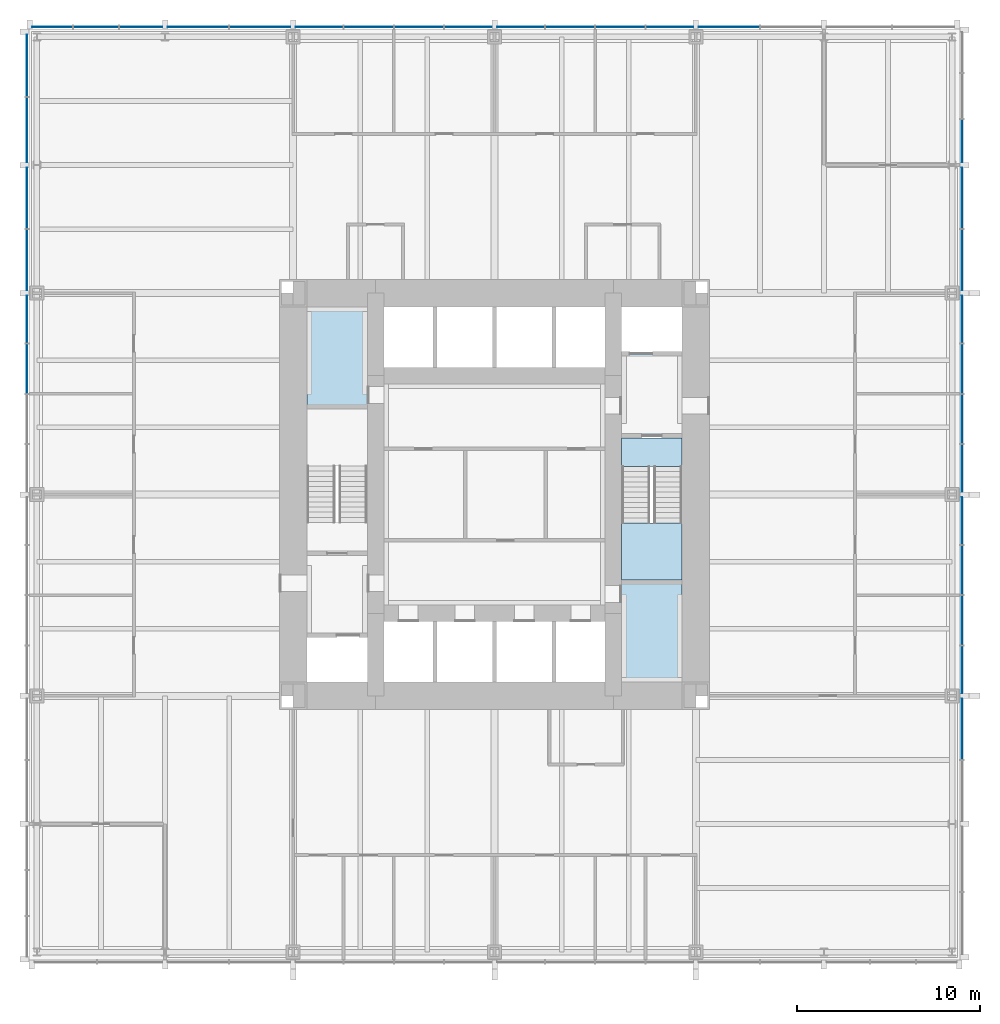
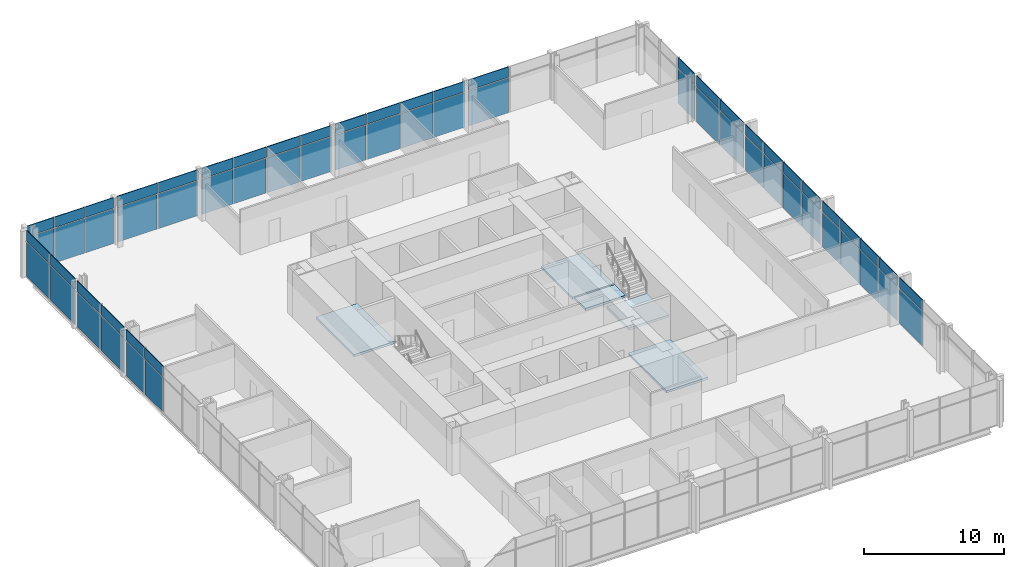
# One storey, part 8 of 12: 64 plates, 5 slabs, 4 elements without a shape of their own.
"""IFC4 building model written with IfcOpenShell, lengths in metres."""

from ifc_helpers import new_model, si_unit, direction, frame, origin, origin_2d, place, context, subcontext, project, spatial, polyline, rectangle, outline, extrude, material, layer, layer_set, type_object, element, aggregate, save


model = new_model("IFC4")

# Units and contexts
model_context = context("Model", 3, precision=1e-05, world=origin(), true_north=direction((0.0, 1.0)))
body_context = subcontext(model_context, "Body", "Model", "MODEL_VIEW")
ifc_project = project(units=[si_unit("LENGTHUNIT", "METRE"), si_unit("AREAUNIT", "SQUARE_METRE"), si_unit("VOLUMEUNIT", "CUBIC_METRE"), si_unit("PLANEANGLEUNIT", "RADIAN"), si_unit("MASSUNIT", "GRAM", prefix="KILO")], contexts=[model_context])

# Site, building, storey
site_placement = place(None, origin())
site = spatial("IfcSite", under=ifc_project, at=site_placement, CompositionType="ELEMENT")
building_placement = place(site_placement, origin())
building = spatial("IfcBuilding", under=site, at=building_placement, Name="Trevanion Tower", CompositionType="ELEMENT")
storey_placement = place(building_placement, frame((0.0, 0.0, 73.39990234375)))
storey = spatial("IfcBuildingStorey", under=building, at=storey_placement, Name="L17", CompositionType="ELEMENT", Elevation=73.39990234375)

# Curtain wall, plates
ifc_material_1 = material(Name="Aluminium and glass", Category="aluminium")
curtain_wall_type = type_object("IfcCurtainWallType", Name="CW1 curtain wall", PredefinedType="USERDEFINED", material=ifc_material_1)
curtain_wall_1_placement = place(storey_placement, origin())
curtain_wall_1 = element("IfcCurtainWall", 1, at=curtain_wall_1_placement, inside=storey, type_object=curtain_wall_type, Name="CW1 L17 0", ObjectType="UNITISED CURTAIN WALL", PredefinedType="USERDEFINED")
ifc_material_2 = material(Name="Aluminium spandrel panel", Category="aluminium")
ifc_layer_1 = layer(ifc_material_2, 0.06005859375)
ifc_layer_set_1 = layer_set([ifc_layer_1], Name="CW1 spandrel panel")
plate_type_1 = type_object("IfcPlateType", Name="CW1 spandrel panel", PredefinedType="CURTAIN_PANEL", material=ifc_layer_set_1)
plate_1_placement = place(storey_placement, frame((25.550048828125, -12.806396484375, 2.99755859375), z_axis=(0.0, 0.0, 1.0), x_axis=(0.0, 1.0, 0.0)))
plate_1 = element("IfcPlate", 2, at=plate_1_placement, type_object=plate_type_1, Name="CW1 panel 4.2", PredefinedType="CURTAIN_PANEL", context=body_context, shape_type="SweptSolid", body=[
    extrude(rectangle(XDim=3.3125, YDim=0.06005859375, at=origin_2d()), origin(), (0.0, 0.0, 1.0), 0.91259765625),
])
plate_2_placement = place(storey_placement, frame((25.550048828125, -9.56884765625, 2.99755859375), z_axis=(0.0, 0.0, 1.0), x_axis=(0.0, 1.0, 0.0)))
plate_2 = element("IfcPlate", 3, at=plate_2_placement, type_object=plate_type_1, Name="CW1 panel 5.2", PredefinedType="CURTAIN_PANEL", context=body_context, shape_type="SweptSolid", body=[
    extrude(rectangle(XDim=2.5625, YDim=0.06005859375, at=origin_2d()), origin(), (0.0, 0.0, 1.0), 0.91259765625),
])
plate_3_placement = place(storey_placement, frame((25.550048828125, -6.875, 2.99755859375), z_axis=(0.0, 0.0, 1.0), x_axis=(0.0, 1.0, 0.0)))
plate_3 = element("IfcPlate", 4, at=plate_3_placement, type_object=plate_type_1, Name="CW1 panel 6.2", PredefinedType="CURTAIN_PANEL", context=body_context, shape_type="SweptSolid", body=[
    extrude(rectangle(XDim=2.675048828125, YDim=0.06005859375, at=origin_2d()), origin(), (0.0, 0.0, 1.0), 0.91259765625),
])
plate_4_placement = place(storey_placement, frame((25.550048828125, -4.125, 2.99755859375), z_axis=(0.0, 0.0, 1.0), x_axis=(0.0, 1.0, 0.0)))
plate_4 = element("IfcPlate", 5, at=plate_4_placement, type_object=plate_type_1, Name="CW1 panel 7.2", PredefinedType="CURTAIN_PANEL", context=body_context, shape_type="SweptSolid", body=[
    extrude(rectangle(XDim=2.675048828125, YDim=0.06005859375, at=origin_2d()), origin(), (0.0, 0.0, 1.0), 0.91259765625),
])
plate_5_placement = place(storey_placement, frame((25.550048828125, -1.43115234375, 2.99755859375), z_axis=(0.0, 0.0, 1.0), x_axis=(0.0, 1.0, 0.0)))
plate_5 = element("IfcPlate", 6, at=plate_5_placement, type_object=plate_type_1, Name="CW1 panel 8.2", PredefinedType="CURTAIN_PANEL", context=body_context, shape_type="SweptSolid", body=[
    extrude(rectangle(XDim=2.5625, YDim=0.06005859375, at=origin_2d()), origin(), (0.0, 0.0, 1.0), 0.91259765625),
])
plate_6_placement = place(storey_placement, frame((25.550048828125, 1.43115234375, 2.99755859375), z_axis=(0.0, 0.0, 1.0), x_axis=(0.0, 1.0, 0.0)))
plate_6 = element("IfcPlate", 7, at=plate_6_placement, type_object=plate_type_1, Name="CW1 panel 9.2", PredefinedType="CURTAIN_PANEL", context=body_context, shape_type="SweptSolid", body=[
    extrude(rectangle(XDim=2.5625, YDim=0.06005859375, at=origin_2d()), origin(), (0.0, 0.0, 1.0), 0.91259765625),
])
plate_7_placement = place(storey_placement, frame((25.550048828125, 4.125, 2.99755859375), z_axis=(0.0, 0.0, 1.0), x_axis=(0.0, 1.0, 0.0)))
plate_7 = element("IfcPlate", 8, at=plate_7_placement, type_object=plate_type_1, Name="CW1 panel 10.2", PredefinedType="CURTAIN_PANEL", context=body_context, shape_type="SweptSolid", body=[
    extrude(rectangle(XDim=2.675048828125, YDim=0.06005859375, at=origin_2d()), origin(), (0.0, 0.0, 1.0), 0.91259765625),
])
plate_8_placement = place(storey_placement, frame((25.550048828125, 6.875, 2.99755859375), z_axis=(0.0, 0.0, 1.0), x_axis=(0.0, 1.0, 0.0)))
plate_8 = element("IfcPlate", 9, at=plate_8_placement, type_object=plate_type_1, Name="CW1 panel 11.2", PredefinedType="CURTAIN_PANEL", context=body_context, shape_type="SweptSolid", body=[
    extrude(rectangle(XDim=2.675048828125, YDim=0.06005859375, at=origin_2d()), origin(), (0.0, 0.0, 1.0), 0.91259765625),
])
plate_9_placement = place(storey_placement, frame((25.550048828125, 9.56884765625, 2.99755859375), z_axis=(0.0, 0.0, 1.0), x_axis=(0.0, 1.0, 0.0)))
plate_9 = element("IfcPlate", 10, at=plate_9_placement, type_object=plate_type_1, Name="CW1 panel 12.2", PredefinedType="CURTAIN_PANEL", context=body_context, shape_type="SweptSolid", body=[
    extrude(rectangle(XDim=2.5625, YDim=0.06005859375, at=origin_2d()), origin(), (0.0, 0.0, 1.0), 0.91259765625),
])
plate_10_placement = place(storey_placement, frame((25.550048828125, 12.80615234375, 2.99755859375), z_axis=(0.0, 0.0, 1.0), x_axis=(0.0, 1.0, 0.0)))
plate_10 = element("IfcPlate", 11, at=plate_10_placement, type_object=plate_type_1, Name="CW1 panel 13.2", PredefinedType="CURTAIN_PANEL", context=body_context, shape_type="SweptSolid", body=[
    extrude(rectangle(XDim=3.3125, YDim=0.06005859375, at=origin_2d()), origin(), (0.0, 0.0, 1.0), 0.91259765625),
])
plate_11_placement = place(storey_placement, frame((25.550048828125, 16.19384765625, 2.99755859375), z_axis=(0.0, 0.0, 1.0), x_axis=(0.0, 1.0, 0.0)))
plate_11 = element("IfcPlate", 12, at=plate_11_placement, type_object=plate_type_1, Name="CW1 panel 14.2", PredefinedType="CURTAIN_PANEL", context=body_context, shape_type="SweptSolid", body=[
    extrude(rectangle(XDim=3.3125, YDim=0.06005859375, at=origin_2d()), origin(), (0.0, 0.0, 1.0), 0.91259765625),
])
plate_12_placement = place(storey_placement, frame((25.550048828125, 19.314697265625, 2.99755859375), z_axis=(0.0, 0.0, 1.0), x_axis=(0.0, 1.0, 0.0)))
plate_12 = element("IfcPlate", 13, at=plate_12_placement, type_object=plate_type_1, Name="CW1 panel 15.2", PredefinedType="CURTAIN_PANEL", context=body_context, shape_type="SweptSolid", body=[
    extrude(rectangle(XDim=2.3291015625, YDim=0.06005859375, at=origin_2d()), origin(), (0.0, 0.0, 1.0), 0.91259765625),
])

curtain_wall_2_placement = place(storey_placement, origin())
curtain_wall_2 = element("IfcCurtainWall", 14, at=curtain_wall_2_placement, inside=storey, type_object=curtain_wall_type, Name="CW1 L17 1", ObjectType="UNITISED CURTAIN WALL", PredefinedType="USERDEFINED")
plate_13_placement = place(storey_placement, frame((12.806396484375, 25.550048828125, 2.99755859375), z_axis=(0.0, 0.0, 1.0), x_axis=(-1.0, 0.0, 0.0)))
plate_13 = element("IfcPlate", 15, at=plate_13_placement, type_object=plate_type_1, Name="CW1 panel 4.2", PredefinedType="CURTAIN_PANEL", context=body_context, shape_type="SweptSolid", body=[
    extrude(rectangle(XDim=3.3125, YDim=0.06005859375, at=origin_2d()), origin(), (0.0, 0.0, 1.0), 0.91259765625),
])
plate_14_placement = place(storey_placement, frame((9.56884765625, 25.550048828125, 2.99755859375), z_axis=(0.0, 0.0, 1.0), x_axis=(-1.0, 0.0, 0.0)))
plate_14 = element("IfcPlate", 16, at=plate_14_placement, type_object=plate_type_1, Name="CW1 panel 5.2", PredefinedType="CURTAIN_PANEL", context=body_context, shape_type="SweptSolid", body=[
    extrude(rectangle(XDim=2.5625, YDim=0.06005859375, at=origin_2d()), origin(), (0.0, 0.0, 1.0), 0.91259765625),
])
plate_15_placement = place(storey_placement, frame((6.875, 25.550048828125, 2.99755859375), z_axis=(0.0, 0.0, 1.0), x_axis=(-1.0, 0.0, 0.0)))
plate_15 = element("IfcPlate", 17, at=plate_15_placement, type_object=plate_type_1, Name="CW1 panel 6.2", PredefinedType="CURTAIN_PANEL", context=body_context, shape_type="SweptSolid", body=[
    extrude(rectangle(XDim=2.675048828125, YDim=0.06005859375, at=origin_2d()), origin(), (0.0, 0.0, 1.0), 0.91259765625),
])
plate_16_placement = place(storey_placement, frame((4.125, 25.550048828125, 2.99755859375), z_axis=(0.0, 0.0, 1.0), x_axis=(-1.0, 0.0, 0.0)))
plate_16 = element("IfcPlate", 18, at=plate_16_placement, type_object=plate_type_1, Name="CW1 panel 7.2", PredefinedType="CURTAIN_PANEL", context=body_context, shape_type="SweptSolid", body=[
    extrude(rectangle(XDim=2.675048828125, YDim=0.06005859375, at=origin_2d()), origin(), (0.0, 0.0, 1.0), 0.91259765625),
])
plate_17_placement = place(storey_placement, frame((1.43115234375, 25.550048828125, 2.99755859375), z_axis=(0.0, 0.0, 1.0), x_axis=(-1.0, 0.0, 0.0)))
plate_17 = element("IfcPlate", 19, at=plate_17_placement, type_object=plate_type_1, Name="CW1 panel 8.2", PredefinedType="CURTAIN_PANEL", context=body_context, shape_type="SweptSolid", body=[
    extrude(rectangle(XDim=2.5625, YDim=0.06005859375, at=origin_2d()), origin(), (0.0, 0.0, 1.0), 0.91259765625),
])
plate_18_placement = place(storey_placement, frame((-1.43115234375, 25.550048828125, 2.99755859375), z_axis=(0.0, 0.0, 1.0), x_axis=(-1.0, 0.0, 0.0)))
plate_18 = element("IfcPlate", 20, at=plate_18_placement, type_object=plate_type_1, Name="CW1 panel 9.2", PredefinedType="CURTAIN_PANEL", context=body_context, shape_type="SweptSolid", body=[
    extrude(rectangle(XDim=2.5625, YDim=0.06005859375, at=origin_2d()), origin(), (0.0, 0.0, 1.0), 0.91259765625),
])
plate_19_placement = place(storey_placement, frame((-4.125, 25.550048828125, 2.99755859375), z_axis=(0.0, 0.0, 1.0), x_axis=(-1.0, 0.0, 0.0)))
plate_19 = element("IfcPlate", 21, at=plate_19_placement, type_object=plate_type_1, Name="CW1 panel 10.2", PredefinedType="CURTAIN_PANEL", context=body_context, shape_type="SweptSolid", body=[
    extrude(rectangle(XDim=2.675048828125, YDim=0.06005859375, at=origin_2d()), origin(), (0.0, 0.0, 1.0), 0.91259765625),
])
plate_20_placement = place(storey_placement, frame((-6.875, 25.550048828125, 2.99755859375), z_axis=(0.0, 0.0, 1.0), x_axis=(-1.0, 0.0, 0.0)))
plate_20 = element("IfcPlate", 22, at=plate_20_placement, type_object=plate_type_1, Name="CW1 panel 11.2", PredefinedType="CURTAIN_PANEL", context=body_context, shape_type="SweptSolid", body=[
    extrude(rectangle(XDim=2.675048828125, YDim=0.06005859375, at=origin_2d()), origin(), (0.0, 0.0, 1.0), 0.91259765625),
])
plate_21_placement = place(storey_placement, frame((-9.56884765625, 25.550048828125, 2.99755859375), z_axis=(0.0, 0.0, 1.0), x_axis=(-1.0, 0.0, 0.0)))
plate_21 = element("IfcPlate", 23, at=plate_21_placement, type_object=plate_type_1, Name="CW1 panel 12.2", PredefinedType="CURTAIN_PANEL", context=body_context, shape_type="SweptSolid", body=[
    extrude(rectangle(XDim=2.5625, YDim=0.06005859375, at=origin_2d()), origin(), (0.0, 0.0, 1.0), 0.91259765625),
])
plate_22_placement = place(storey_placement, frame((-12.80615234375, 25.550048828125, 2.99755859375), z_axis=(0.0, 0.0, 1.0), x_axis=(-1.0, 0.0, 0.0)))
plate_22 = element("IfcPlate", 24, at=plate_22_placement, type_object=plate_type_1, Name="CW1 panel 13.2", PredefinedType="CURTAIN_PANEL", context=body_context, shape_type="SweptSolid", body=[
    extrude(rectangle(XDim=3.3125, YDim=0.06005859375, at=origin_2d()), origin(), (0.0, 0.0, 1.0), 0.91259765625),
])
plate_23_placement = place(storey_placement, frame((-16.19384765625, 25.550048828125, 2.99755859375), z_axis=(0.0, 0.0, 1.0), x_axis=(-1.0, 0.0, 0.0)))
plate_23 = element("IfcPlate", 25, at=plate_23_placement, type_object=plate_type_1, Name="CW1 panel 14.2", PredefinedType="CURTAIN_PANEL", context=body_context, shape_type="SweptSolid", body=[
    extrude(rectangle(XDim=3.3125, YDim=0.06005859375, at=origin_2d()), origin(), (0.0, 0.0, 1.0), 0.91259765625),
])
plate_24_placement = place(storey_placement, frame((-19.314697265625, 25.550048828125, 2.99755859375), z_axis=(0.0, 0.0, 1.0), x_axis=(-1.0, 0.0, 0.0)))
plate_24 = element("IfcPlate", 26, at=plate_24_placement, type_object=plate_type_1, Name="CW1 panel 15.2", PredefinedType="CURTAIN_PANEL", context=body_context, shape_type="SweptSolid", body=[
    extrude(rectangle(XDim=2.3291015625, YDim=0.06005859375, at=origin_2d()), origin(), (0.0, 0.0, 1.0), 0.91259765625),
])
plate_25_placement = place(storey_placement, frame((-21.77490234375, 25.550048828125, 2.99755859375), z_axis=(0.0, 0.0, 1.0), x_axis=(-1.0, 0.0, 0.0)))
plate_25 = element("IfcPlate", 27, at=plate_25_placement, type_object=plate_type_1, Name="CW1 panel 16.2", PredefinedType="CURTAIN_PANEL", context=body_context, shape_type="SweptSolid", body=[
    extrude(rectangle(XDim=2.441650390625, YDim=0.06005859375, at=origin_2d()), origin(), (0.0, 0.0, 1.0), 0.91259765625),
])
plate_26_placement = place(storey_placement, frame((-24.160400390625, 25.550048828125, 2.99755859375), z_axis=(0.0, 0.0, 1.0), x_axis=(-1.0, 0.0, 0.0)))
plate_26 = element("IfcPlate", 28, at=plate_26_placement, type_object=plate_type_1, Name="CW1 panel 17.2", PredefinedType="CURTAIN_PANEL", context=body_context, shape_type="SweptSolid", body=[
    extrude(rectangle(XDim=2.17919921875, YDim=0.06005859375, at=origin_2d()), origin(), (0.0, 0.0, 1.0), 0.91259765625),
])

curtain_wall_3_placement = place(storey_placement, origin())
curtain_wall_3 = element("IfcCurtainWall", 29, at=curtain_wall_3_placement, inside=storey, type_object=curtain_wall_type, Name="CW1 L17 2", ObjectType="UNITISED CURTAIN WALL", PredefinedType="USERDEFINED")
plate_27_placement = place(storey_placement, frame((-25.550048828125, 23.433837890625, 2.99755859375), z_axis=(0.0, 0.0, 1.0), x_axis=(0.0, -1.0, 0.0)))
plate_27 = element("IfcPlate", 30, at=plate_27_placement, type_object=plate_type_1, Name="CW1 panel 1.2", PredefinedType="CURTAIN_PANEL", context=body_context, shape_type="SweptSolid", body=[
    extrude(rectangle(XDim=3.37255859375, YDim=0.06005859375, at=origin_2d()), origin(), (0.0, 0.0, 1.0), 0.91259765625),
])
plate_28_placement = place(storey_placement, frame((-25.550048828125, 19.911376953125, 2.99755859375), z_axis=(0.0, 0.0, 1.0), x_axis=(0.0, -1.0, 0.0)))
plate_28 = element("IfcPlate", 31, at=plate_28_placement, type_object=plate_type_1, Name="CW1 panel 2.2", PredefinedType="CURTAIN_PANEL", context=body_context, shape_type="SweptSolid", body=[
    extrude(rectangle(XDim=3.5224609375, YDim=0.06005859375, at=origin_2d()), origin(), (0.0, 0.0, 1.0), 0.91259765625),
])
plate_29_placement = place(storey_placement, frame((-25.550048828125, 16.19384765625, 2.99755859375), z_axis=(0.0, 0.0, 1.0), x_axis=(0.0, -1.0, 0.0)))
plate_29 = element("IfcPlate", 32, at=plate_29_placement, type_object=plate_type_1, Name="CW1 panel 3.2", PredefinedType="CURTAIN_PANEL", context=body_context, shape_type="SweptSolid", body=[
    extrude(rectangle(XDim=3.3125, YDim=0.06005859375, at=origin_2d()), origin(), (0.0, 0.0, 1.0), 0.91259765625),
])
plate_30_placement = place(storey_placement, frame((-25.550048828125, 12.806396484375, 2.99755859375), z_axis=(0.0, 0.0, 1.0), x_axis=(0.0, -1.0, 0.0)))
plate_30 = element("IfcPlate", 33, at=plate_30_placement, type_object=plate_type_1, Name="CW1 panel 4.2", PredefinedType="CURTAIN_PANEL", context=body_context, shape_type="SweptSolid", body=[
    extrude(rectangle(XDim=3.3125, YDim=0.06005859375, at=origin_2d()), origin(), (0.0, 0.0, 1.0), 0.91259765625),
])
plate_31_placement = place(storey_placement, frame((-25.550048828125, 9.56884765625, 2.99755859375), z_axis=(0.0, 0.0, 1.0), x_axis=(0.0, -1.0, 0.0)))
plate_31 = element("IfcPlate", 34, at=plate_31_placement, type_object=plate_type_1, Name="CW1 panel 5.2", PredefinedType="CURTAIN_PANEL", context=body_context, shape_type="SweptSolid", body=[
    extrude(rectangle(XDim=2.5625, YDim=0.06005859375, at=origin_2d()), origin(), (0.0, 0.0, 1.0), 0.91259765625),
])
plate_32_placement = place(storey_placement, frame((-25.550048828125, 6.875, 2.99755859375), z_axis=(0.0, 0.0, 1.0), x_axis=(0.0, -1.0, 0.0)))
plate_32 = element("IfcPlate", 35, at=plate_32_placement, type_object=plate_type_1, Name="CW1 panel 6.2", PredefinedType="CURTAIN_PANEL", context=body_context, shape_type="SweptSolid", body=[
    extrude(rectangle(XDim=2.675048828125, YDim=0.06005859375, at=origin_2d()), origin(), (0.0, 0.0, 1.0), 0.91259765625),
])

# Plate
ifc_material_3 = material(Name="Insulating glass unit", Category="glass")
ifc_layer_2 = layer(ifc_material_3, 0.028076171875)
ifc_layer_set_2 = layer_set([ifc_layer_2], Name="CW1 vision panel")
plate_type_2 = type_object("IfcPlateType", Name="CW1 vision panel", PredefinedType="CURTAIN_PANEL", material=ifc_layer_set_2)
plate_33_placement = place(storey_placement, frame((25.550048828125, -12.806396484375, -0.114990234375), z_axis=(0.0, 0.0, 1.0), x_axis=(0.0, 1.0, 0.0)))
plate_33 = element("IfcPlate", 36, at=plate_33_placement, type_object=plate_type_2, Name="CW1 panel 4.1", PredefinedType="CURTAIN_PANEL", context=body_context, shape_type="SweptSolid", body=[
    extrude(rectangle(XDim=3.3125, YDim=0.028076171875, at=origin_2d()), origin(), (0.0, 0.0, 1.0), 3.03759765625),
])

plate_34_placement = place(storey_placement, frame((25.550048828125, -9.56884765625, -0.114990234375), z_axis=(0.0, 0.0, 1.0), x_axis=(0.0, 1.0, 0.0)))
plate_34 = element("IfcPlate", 37, at=plate_34_placement, type_object=plate_type_2, Name="CW1 panel 5.1", PredefinedType="CURTAIN_PANEL", context=body_context, shape_type="SweptSolid", body=[
    extrude(rectangle(XDim=2.5625, YDim=0.028076171875, at=origin_2d()), origin(), (0.0, 0.0, 1.0), 3.03759765625),
])

plate_35_placement = place(storey_placement, frame((25.550048828125, -6.875, -0.114990234375), z_axis=(0.0, 0.0, 1.0), x_axis=(0.0, 1.0, 0.0)))
plate_35 = element("IfcPlate", 38, at=plate_35_placement, type_object=plate_type_2, Name="CW1 panel 6.1", PredefinedType="CURTAIN_PANEL", context=body_context, shape_type="SweptSolid", body=[
    extrude(rectangle(XDim=2.675048828125, YDim=0.028076171875, at=origin_2d()), origin(), (0.0, 0.0, 1.0), 3.03759765625),
])

plate_36_placement = place(storey_placement, frame((25.550048828125, -4.125, -0.114990234375), z_axis=(0.0, 0.0, 1.0), x_axis=(0.0, 1.0, 0.0)))
plate_36 = element("IfcPlate", 39, at=plate_36_placement, type_object=plate_type_2, Name="CW1 panel 7.1", PredefinedType="CURTAIN_PANEL", context=body_context, shape_type="SweptSolid", body=[
    extrude(rectangle(XDim=2.675048828125, YDim=0.028076171875, at=origin_2d()), origin(), (0.0, 0.0, 1.0), 3.03759765625),
])

plate_37_placement = place(storey_placement, frame((25.550048828125, -1.43115234375, -0.114990234375), z_axis=(0.0, 0.0, 1.0), x_axis=(0.0, 1.0, 0.0)))
plate_37 = element("IfcPlate", 40, at=plate_37_placement, type_object=plate_type_2, Name="CW1 panel 8.1", PredefinedType="CURTAIN_PANEL", context=body_context, shape_type="SweptSolid", body=[
    extrude(rectangle(XDim=2.5625, YDim=0.028076171875, at=origin_2d()), origin(), (0.0, 0.0, 1.0), 3.03759765625),
])

plate_38_placement = place(storey_placement, frame((25.550048828125, 1.43115234375, -0.114990234375), z_axis=(0.0, 0.0, 1.0), x_axis=(0.0, 1.0, 0.0)))
plate_38 = element("IfcPlate", 41, at=plate_38_placement, type_object=plate_type_2, Name="CW1 panel 9.1", PredefinedType="CURTAIN_PANEL", context=body_context, shape_type="SweptSolid", body=[
    extrude(rectangle(XDim=2.5625, YDim=0.028076171875, at=origin_2d()), origin(), (0.0, 0.0, 1.0), 3.03759765625),
])

plate_39_placement = place(storey_placement, frame((25.550048828125, 4.125, -0.114990234375), z_axis=(0.0, 0.0, 1.0), x_axis=(0.0, 1.0, 0.0)))
plate_39 = element("IfcPlate", 42, at=plate_39_placement, type_object=plate_type_2, Name="CW1 panel 10.1", PredefinedType="CURTAIN_PANEL", context=body_context, shape_type="SweptSolid", body=[
    extrude(rectangle(XDim=2.675048828125, YDim=0.028076171875, at=origin_2d()), origin(), (0.0, 0.0, 1.0), 3.03759765625),
])

plate_40_placement = place(storey_placement, frame((25.550048828125, 6.875, -0.114990234375), z_axis=(0.0, 0.0, 1.0), x_axis=(0.0, 1.0, 0.0)))
plate_40 = element("IfcPlate", 43, at=plate_40_placement, type_object=plate_type_2, Name="CW1 panel 11.1", PredefinedType="CURTAIN_PANEL", context=body_context, shape_type="SweptSolid", body=[
    extrude(rectangle(XDim=2.675048828125, YDim=0.028076171875, at=origin_2d()), origin(), (0.0, 0.0, 1.0), 3.03759765625),
])

plate_41_placement = place(storey_placement, frame((25.550048828125, 9.56884765625, -0.114990234375), z_axis=(0.0, 0.0, 1.0), x_axis=(0.0, 1.0, 0.0)))
plate_41 = element("IfcPlate", 44, at=plate_41_placement, type_object=plate_type_2, Name="CW1 panel 12.1", PredefinedType="CURTAIN_PANEL", context=body_context, shape_type="SweptSolid", body=[
    extrude(rectangle(XDim=2.5625, YDim=0.028076171875, at=origin_2d()), origin(), (0.0, 0.0, 1.0), 3.03759765625),
])

plate_42_placement = place(storey_placement, frame((25.550048828125, 12.80615234375, -0.114990234375), z_axis=(0.0, 0.0, 1.0), x_axis=(0.0, 1.0, 0.0)))
plate_42 = element("IfcPlate", 45, at=plate_42_placement, type_object=plate_type_2, Name="CW1 panel 13.1", PredefinedType="CURTAIN_PANEL", context=body_context, shape_type="SweptSolid", body=[
    extrude(rectangle(XDim=3.3125, YDim=0.028076171875, at=origin_2d()), origin(), (0.0, 0.0, 1.0), 3.03759765625),
])

plate_43_placement = place(storey_placement, frame((25.550048828125, 16.19384765625, -0.114990234375), z_axis=(0.0, 0.0, 1.0), x_axis=(0.0, 1.0, 0.0)))
plate_43 = element("IfcPlate", 46, at=plate_43_placement, type_object=plate_type_2, Name="CW1 panel 14.1", PredefinedType="CURTAIN_PANEL", context=body_context, shape_type="SweptSolid", body=[
    extrude(rectangle(XDim=3.3125, YDim=0.028076171875, at=origin_2d()), origin(), (0.0, 0.0, 1.0), 3.03759765625),
])

plate_44_placement = place(storey_placement, frame((25.550048828125, 19.314697265625, -0.114990234375), z_axis=(0.0, 0.0, 1.0), x_axis=(0.0, 1.0, 0.0)))
plate_44 = element("IfcPlate", 47, at=plate_44_placement, type_object=plate_type_2, Name="CW1 panel 15.1", PredefinedType="CURTAIN_PANEL", context=body_context, shape_type="SweptSolid", body=[
    extrude(rectangle(XDim=2.3291015625, YDim=0.028076171875, at=origin_2d()), origin(), (0.0, 0.0, 1.0), 3.03759765625),
])

aggregate(curtain_wall_1, [plate_33, plate_1, plate_34, plate_2, plate_35, plate_3, plate_36, plate_4, plate_37, plate_5, plate_38, plate_6, plate_39, plate_7, plate_40, plate_8, plate_41, plate_9, plate_42, plate_10, plate_43, plate_11, plate_44, plate_12])

plate_45_placement = place(storey_placement, frame((12.806396484375, 25.550048828125, -0.114990234375), z_axis=(0.0, 0.0, 1.0), x_axis=(-1.0, 0.0, 0.0)))
plate_45 = element("IfcPlate", 48, at=plate_45_placement, type_object=plate_type_2, Name="CW1 panel 4.1", PredefinedType="CURTAIN_PANEL", context=body_context, shape_type="SweptSolid", body=[
    extrude(rectangle(XDim=3.3125, YDim=0.028076171875, at=origin_2d()), origin(), (0.0, 0.0, 1.0), 3.03759765625),
])

plate_46_placement = place(storey_placement, frame((9.56884765625, 25.550048828125, -0.114990234375), z_axis=(0.0, 0.0, 1.0), x_axis=(-1.0, 0.0, 0.0)))
plate_46 = element("IfcPlate", 49, at=plate_46_placement, type_object=plate_type_2, Name="CW1 panel 5.1", PredefinedType="CURTAIN_PANEL", context=body_context, shape_type="SweptSolid", body=[
    extrude(rectangle(XDim=2.5625, YDim=0.028076171875, at=origin_2d()), origin(), (0.0, 0.0, 1.0), 3.03759765625),
])

plate_47_placement = place(storey_placement, frame((6.875, 25.550048828125, -0.114990234375), z_axis=(0.0, 0.0, 1.0), x_axis=(-1.0, 0.0, 0.0)))
plate_47 = element("IfcPlate", 50, at=plate_47_placement, type_object=plate_type_2, Name="CW1 panel 6.1", PredefinedType="CURTAIN_PANEL", context=body_context, shape_type="SweptSolid", body=[
    extrude(rectangle(XDim=2.675048828125, YDim=0.028076171875, at=origin_2d()), origin(), (0.0, 0.0, 1.0), 3.03759765625),
])

plate_48_placement = place(storey_placement, frame((4.125, 25.550048828125, -0.114990234375), z_axis=(0.0, 0.0, 1.0), x_axis=(-1.0, 0.0, 0.0)))
plate_48 = element("IfcPlate", 51, at=plate_48_placement, type_object=plate_type_2, Name="CW1 panel 7.1", PredefinedType="CURTAIN_PANEL", context=body_context, shape_type="SweptSolid", body=[
    extrude(rectangle(XDim=2.675048828125, YDim=0.028076171875, at=origin_2d()), origin(), (0.0, 0.0, 1.0), 3.03759765625),
])

plate_49_placement = place(storey_placement, frame((1.43115234375, 25.550048828125, -0.114990234375), z_axis=(0.0, 0.0, 1.0), x_axis=(-1.0, 0.0, 0.0)))
plate_49 = element("IfcPlate", 52, at=plate_49_placement, type_object=plate_type_2, Name="CW1 panel 8.1", PredefinedType="CURTAIN_PANEL", context=body_context, shape_type="SweptSolid", body=[
    extrude(rectangle(XDim=2.5625, YDim=0.028076171875, at=origin_2d()), origin(), (0.0, 0.0, 1.0), 3.03759765625),
])

plate_50_placement = place(storey_placement, frame((-1.43115234375, 25.550048828125, -0.114990234375), z_axis=(0.0, 0.0, 1.0), x_axis=(-1.0, 0.0, 0.0)))
plate_50 = element("IfcPlate", 53, at=plate_50_placement, type_object=plate_type_2, Name="CW1 panel 9.1", PredefinedType="CURTAIN_PANEL", context=body_context, shape_type="SweptSolid", body=[
    extrude(rectangle(XDim=2.5625, YDim=0.028076171875, at=origin_2d()), origin(), (0.0, 0.0, 1.0), 3.03759765625),
])

plate_51_placement = place(storey_placement, frame((-4.125, 25.550048828125, -0.114990234375), z_axis=(0.0, 0.0, 1.0), x_axis=(-1.0, 0.0, 0.0)))
plate_51 = element("IfcPlate", 54, at=plate_51_placement, type_object=plate_type_2, Name="CW1 panel 10.1", PredefinedType="CURTAIN_PANEL", context=body_context, shape_type="SweptSolid", body=[
    extrude(rectangle(XDim=2.675048828125, YDim=0.028076171875, at=origin_2d()), origin(), (0.0, 0.0, 1.0), 3.03759765625),
])

plate_52_placement = place(storey_placement, frame((-6.875, 25.550048828125, -0.114990234375), z_axis=(0.0, 0.0, 1.0), x_axis=(-1.0, 0.0, 0.0)))
plate_52 = element("IfcPlate", 55, at=plate_52_placement, type_object=plate_type_2, Name="CW1 panel 11.1", PredefinedType="CURTAIN_PANEL", context=body_context, shape_type="SweptSolid", body=[
    extrude(rectangle(XDim=2.675048828125, YDim=0.028076171875, at=origin_2d()), origin(), (0.0, 0.0, 1.0), 3.03759765625),
])

plate_53_placement = place(storey_placement, frame((-9.56884765625, 25.550048828125, -0.114990234375), z_axis=(0.0, 0.0, 1.0), x_axis=(-1.0, 0.0, 0.0)))
plate_53 = element("IfcPlate", 56, at=plate_53_placement, type_object=plate_type_2, Name="CW1 panel 12.1", PredefinedType="CURTAIN_PANEL", context=body_context, shape_type="SweptSolid", body=[
    extrude(rectangle(XDim=2.5625, YDim=0.028076171875, at=origin_2d()), origin(), (0.0, 0.0, 1.0), 3.03759765625),
])

plate_54_placement = place(storey_placement, frame((-12.80615234375, 25.550048828125, -0.114990234375), z_axis=(0.0, 0.0, 1.0), x_axis=(-1.0, 0.0, 0.0)))
plate_54 = element("IfcPlate", 57, at=plate_54_placement, type_object=plate_type_2, Name="CW1 panel 13.1", PredefinedType="CURTAIN_PANEL", context=body_context, shape_type="SweptSolid", body=[
    extrude(rectangle(XDim=3.3125, YDim=0.028076171875, at=origin_2d()), origin(), (0.0, 0.0, 1.0), 3.03759765625),
])

plate_55_placement = place(storey_placement, frame((-16.19384765625, 25.550048828125, -0.114990234375), z_axis=(0.0, 0.0, 1.0), x_axis=(-1.0, 0.0, 0.0)))
plate_55 = element("IfcPlate", 58, at=plate_55_placement, type_object=plate_type_2, Name="CW1 panel 14.1", PredefinedType="CURTAIN_PANEL", context=body_context, shape_type="SweptSolid", body=[
    extrude(rectangle(XDim=3.3125, YDim=0.028076171875, at=origin_2d()), origin(), (0.0, 0.0, 1.0), 3.03759765625),
])

plate_56_placement = place(storey_placement, frame((-19.314697265625, 25.550048828125, -0.114990234375), z_axis=(0.0, 0.0, 1.0), x_axis=(-1.0, 0.0, 0.0)))
plate_56 = element("IfcPlate", 59, at=plate_56_placement, type_object=plate_type_2, Name="CW1 panel 15.1", PredefinedType="CURTAIN_PANEL", context=body_context, shape_type="SweptSolid", body=[
    extrude(rectangle(XDim=2.3291015625, YDim=0.028076171875, at=origin_2d()), origin(), (0.0, 0.0, 1.0), 3.03759765625),
])

plate_57_placement = place(storey_placement, frame((-21.77490234375, 25.550048828125, -0.114990234375), z_axis=(0.0, 0.0, 1.0), x_axis=(-1.0, 0.0, 0.0)))
plate_57 = element("IfcPlate", 60, at=plate_57_placement, type_object=plate_type_2, Name="CW1 panel 16.1", PredefinedType="CURTAIN_PANEL", context=body_context, shape_type="SweptSolid", body=[
    extrude(rectangle(XDim=2.441650390625, YDim=0.028076171875, at=origin_2d()), origin(), (0.0, 0.0, 1.0), 3.03759765625),
])

plate_58_placement = place(storey_placement, frame((-24.160400390625, 25.550048828125, -0.114990234375), z_axis=(0.0, 0.0, 1.0), x_axis=(-1.0, 0.0, 0.0)))
plate_58 = element("IfcPlate", 61, at=plate_58_placement, type_object=plate_type_2, Name="CW1 panel 17.1", PredefinedType="CURTAIN_PANEL", context=body_context, shape_type="SweptSolid", body=[
    extrude(rectangle(XDim=2.17919921875, YDim=0.028076171875, at=origin_2d()), origin(), (0.0, 0.0, 1.0), 3.03759765625),
])

aggregate(curtain_wall_2, [plate_45, plate_13, plate_46, plate_14, plate_47, plate_15, plate_48, plate_16, plate_49, plate_17, plate_50, plate_18, plate_51, plate_19, plate_52, plate_20, plate_53, plate_21, plate_54, plate_22, plate_55, plate_23, plate_56, plate_24, plate_57, plate_25, plate_58, plate_26])

plate_59_placement = place(storey_placement, frame((-25.550048828125, 23.433837890625, -0.114990234375), z_axis=(0.0, 0.0, 1.0), x_axis=(0.0, -1.0, 0.0)))
plate_59 = element("IfcPlate", 62, at=plate_59_placement, type_object=plate_type_2, Name="CW1 panel 1.1", PredefinedType="CURTAIN_PANEL", context=body_context, shape_type="SweptSolid", body=[
    extrude(rectangle(XDim=3.37255859375, YDim=0.028076171875, at=origin_2d()), origin(), (0.0, 0.0, 1.0), 3.03759765625),
])

plate_60_placement = place(storey_placement, frame((-25.550048828125, 19.911376953125, -0.114990234375), z_axis=(0.0, 0.0, 1.0), x_axis=(0.0, -1.0, 0.0)))
plate_60 = element("IfcPlate", 63, at=plate_60_placement, type_object=plate_type_2, Name="CW1 panel 2.1", PredefinedType="CURTAIN_PANEL", context=body_context, shape_type="SweptSolid", body=[
    extrude(rectangle(XDim=3.5224609375, YDim=0.028076171875, at=origin_2d()), origin(), (0.0, 0.0, 1.0), 3.03759765625),
])

plate_61_placement = place(storey_placement, frame((-25.550048828125, 16.19384765625, -0.114990234375), z_axis=(0.0, 0.0, 1.0), x_axis=(0.0, -1.0, 0.0)))
plate_61 = element("IfcPlate", 64, at=plate_61_placement, type_object=plate_type_2, Name="CW1 panel 3.1", PredefinedType="CURTAIN_PANEL", context=body_context, shape_type="SweptSolid", body=[
    extrude(rectangle(XDim=3.3125, YDim=0.028076171875, at=origin_2d()), origin(), (0.0, 0.0, 1.0), 3.03759765625),
])

plate_62_placement = place(storey_placement, frame((-25.550048828125, 12.806396484375, -0.114990234375), z_axis=(0.0, 0.0, 1.0), x_axis=(0.0, -1.0, 0.0)))
plate_62 = element("IfcPlate", 65, at=plate_62_placement, type_object=plate_type_2, Name="CW1 panel 4.1", PredefinedType="CURTAIN_PANEL", context=body_context, shape_type="SweptSolid", body=[
    extrude(rectangle(XDim=3.3125, YDim=0.028076171875, at=origin_2d()), origin(), (0.0, 0.0, 1.0), 3.03759765625),
])

plate_63_placement = place(storey_placement, frame((-25.550048828125, 9.56884765625, -0.114990234375), z_axis=(0.0, 0.0, 1.0), x_axis=(0.0, -1.0, 0.0)))
plate_63 = element("IfcPlate", 66, at=plate_63_placement, type_object=plate_type_2, Name="CW1 panel 5.1", PredefinedType="CURTAIN_PANEL", context=body_context, shape_type="SweptSolid", body=[
    extrude(rectangle(XDim=2.5625, YDim=0.028076171875, at=origin_2d()), origin(), (0.0, 0.0, 1.0), 3.03759765625),
])

plate_64_placement = place(storey_placement, frame((-25.550048828125, 6.875, -0.114990234375), z_axis=(0.0, 0.0, 1.0), x_axis=(0.0, -1.0, 0.0)))
plate_64 = element("IfcPlate", 67, at=plate_64_placement, type_object=plate_type_2, Name="CW1 panel 6.1", PredefinedType="CURTAIN_PANEL", context=body_context, shape_type="SweptSolid", body=[
    extrude(rectangle(XDim=2.675048828125, YDim=0.028076171875, at=origin_2d()), origin(), (0.0, 0.0, 1.0), 3.03759765625),
])

aggregate(curtain_wall_3, [plate_59, plate_27, plate_60, plate_28, plate_61, plate_29, plate_62, plate_30, plate_63, plate_31, plate_64, plate_32])

# Slabs
ifc_material_4 = material(Name="Concrete 5,000 psi", Category="concrete")
ifc_layer_3 = layer(ifc_material_4, 0.199951171875)
ifc_layer_set_3 = layer_set([ifc_layer_3], Name="SL2 core floor 200")
slab_type_1 = type_object("IfcSlabType", Name="SL2 core floor 200", PredefinedType="FLOOR", material=ifc_layer_set_3)
slab_1_placement = place(storey_placement, frame((0.0, 0.0, -0.199951171875)))
element("IfcSlab", 68, at=slab_1_placement, inside=storey, type_object=slab_type_1, Name="SL2 L17 core floor 1", PredefinedType="FLOOR", context=body_context, shape_type="SweptSolid", body=[
    extrude(outline(polyline([(10.25, -4.804931640625), (10.25, -10.25), (6.830078125, -10.25), (6.830078125, -4.804931640625), (10.25, -4.804931640625)])), origin(), (0.0, 0.0, 1.0), 0.199951171875),
])
slab_2_placement = place(storey_placement, frame((0.0, 0.0, -0.199951171875)))
element("IfcSlab", 69, at=slab_2_placement, inside=storey, type_object=slab_type_1, Name="SL2 L17 core floor 4", PredefinedType="FLOOR", context=body_context, shape_type="SweptSolid", body=[
    extrude(outline(polyline([(6.830078125, 3.205078125), (6.830078125, 7.695068359375), (10.25, 7.695068359375), (10.25, 3.205078125), (6.830078125, 3.205078125)])), origin(), (0.0, 0.0, 1.0), 0.199951171875),
])
slab_3_placement = place(storey_placement, frame((0.0, 0.0, -0.199951171875)))
element("IfcSlab", 70, at=slab_3_placement, inside=storey, type_object=slab_type_1, Name="SL2 L17 core floor 5", PredefinedType="FLOOR", context=body_context, shape_type="SweptSolid", body=[
    extrude(outline(polyline([(-6.830078125, 4.804931640625), (-10.25, 4.804931640625), (-10.25, 10.25), (-6.830078125, 10.25), (-6.830078125, 4.804931640625)])), origin(), (0.0, 0.0, 1.0), 0.199951171875),
])

# Stair, slabs
ifc_material_5 = material(Name="Concrete 5,000 psi on steel stringers", Category="concrete")
stair_type = type_object("IfcStairType", Name="ST stair", PredefinedType="HALF_TURN_STAIR", material=ifc_material_5)
stair_placement = place(storey_placement, origin())
stair = element("IfcStair", 71, at=stair_placement, inside=storey, type_object=stair_type, Name="ST1 L17", PredefinedType="HALF_TURN_STAIR")
ifc_material_6 = material(Name="Concrete 5,000 psi in steel pan", Category="concrete")
ifc_layer_4 = layer(ifc_material_6, 0.199951171875)
ifc_layer_set_4 = layer_set([ifc_layer_4], Name="STL stair landing 200")
slab_type_2 = type_object("IfcSlabType", Name="STL stair landing 200", PredefinedType="LANDING", material=ifc_layer_set_4)
slab_4_placement = place(storey_placement, frame((0.0, 0.0, -0.199951171875)))
slab_4 = element("IfcSlab", 72, at=slab_4_placement, type_object=slab_type_2, Name="ST1 landing 1", PredefinedType="LANDING", context=body_context, shape_type="SweptSolid", body=[
    extrude(outline(polyline([(6.949951171875, 1.52490234375), (10.25, 1.52490234375), (10.25, 3.074951171875), (6.949951171875, 3.074951171875), (6.949951171875, 1.52490234375)])), origin(), (0.0, 0.0, 1.0), 0.199951171875),
])
slab_5_placement = place(storey_placement, frame((0.0, 0.0, 1.85009765625)))
slab_5 = element("IfcSlab", 73, at=slab_5_placement, type_object=slab_type_2, Name="ST1 landing 2", PredefinedType="LANDING", context=body_context, shape_type="SweptSolid", body=[
    extrude(outline(polyline([(6.949951171875, -4.675048828125), (10.25, -4.675048828125), (10.25, -1.554931640625), (6.949951171875, -1.554931640625), (6.949951171875, -4.675048828125)])), origin(), (0.0, 0.0, 1.0), 0.199951171875),
])
aggregate(stair, [slab_4, slab_5])

save(model, "model.ifc")
